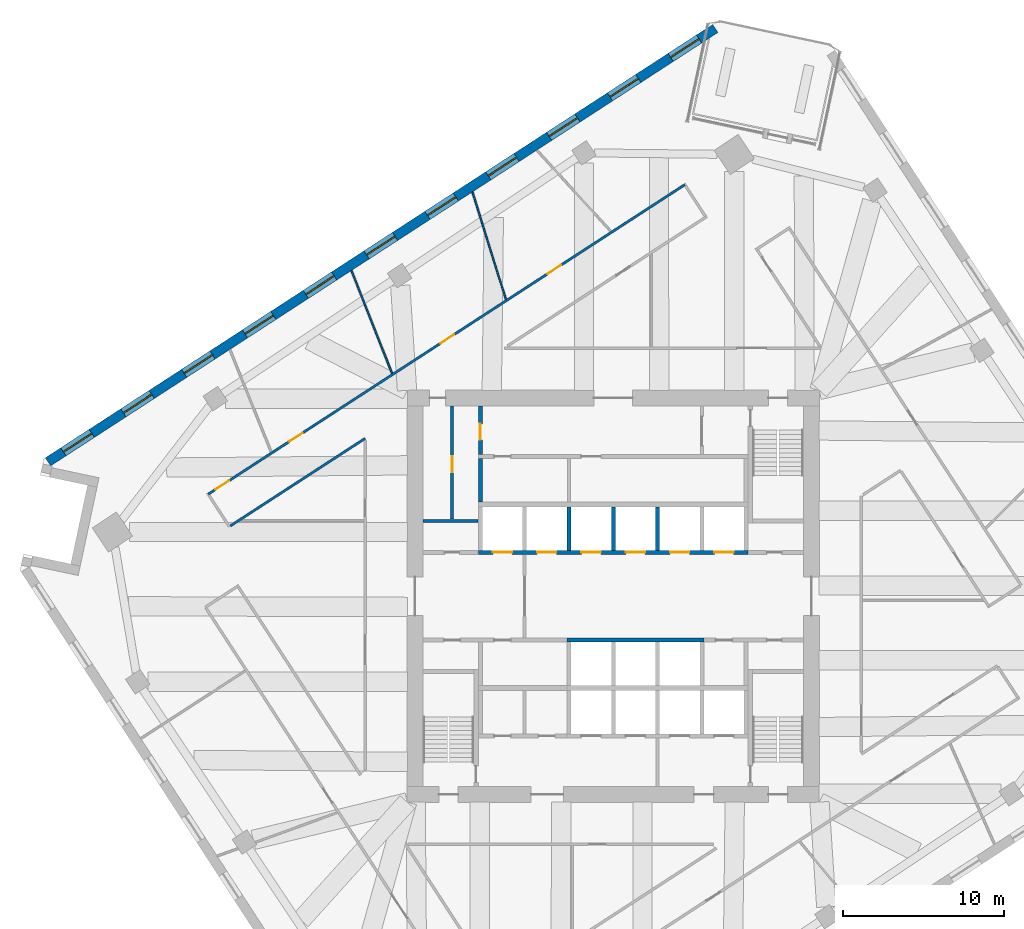
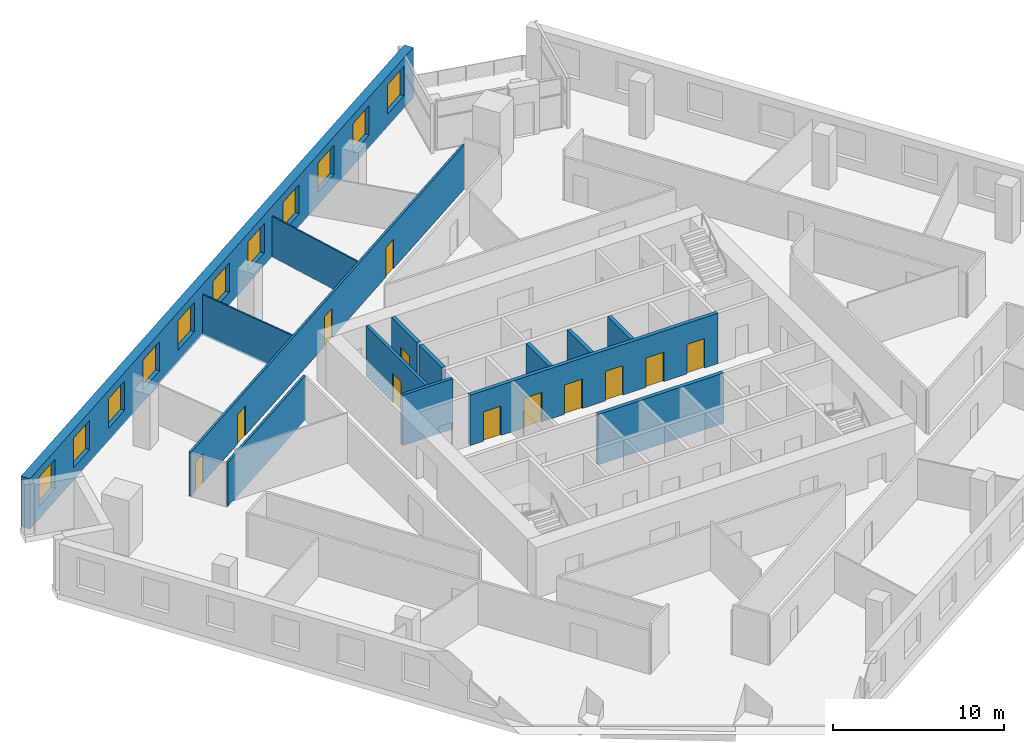
# One storey, part 8 of 12: 14 walls, 12 doors, 11 windows, 23 openings.
"""IFC4 building model written with IfcOpenShell, lengths in metres."""

import ifcopenshell
import ifcopenshell.guid

model = None  # the IFC model being written
_history = None  # IfcOwnerHistory: only IFC2X3 demands one
_inside = {}  # id of a spatial element -> (the spatial element, [elements in it])
_under = {}  # id of a project, library or spatial element -> (it, [spatial elements below it])
_declared = {}  # id of a project -> (the project, [libraries it declares])
_typed = {}  # id of a type object -> (the type object, [elements of that type])
_made_of = {}  # id of a material, layer set ... -> (it, [elements and type objects made of it])


def new_model(schema):
    """Start an empty IFC model of exactly this schema.

    Asked for "IFC4X3", IfcOpenShell would pick the latest addendum, in which some entities
    have other attributes; the version numbers below select the first issue.
    IFC2X3 requires an IfcOwnerHistory on every rooted entity: one is made here for all.
    """
    global model, _history
    if schema == "IFC4X3":
        model = ifcopenshell.file(schema_version=(4, 3, 0, 0))
    else:
        model = ifcopenshell.file(schema=schema)
    _inside.clear()
    _under.clear()
    _declared.clear()
    _typed.clear()
    _made_of.clear()
    _history = None
    if model.schema == "IFC2X3":
        org = make("IfcOrganization", Name="unknown")
        user = make(
            "IfcPersonAndOrganization",
            ThePerson=make("IfcPerson", FamilyName="unknown"),
            TheOrganization=org,
        )
        app = make(
            "IfcApplication",
            ApplicationDeveloper=org,
            Version="unknown",
            ApplicationFullName="unknown",
            ApplicationIdentifier="unknown",
        )
        _history = make(
            "IfcOwnerHistory",
            OwningUser=user,
            OwningApplication=app,
            ChangeAction="ADDED",
            CreationDate=0,
        )
    return model


def make(cls, **values):
    """One entity of the class cls with the attributes given. An attribute that is None is left unset."""
    return model.create_entity(
        cls, **{name: value for name, value in values.items() if value is not None}
    )


def rooted(cls, **values):
    """An entity with a GlobalId (a new one), such as an element, a storey or a relation."""
    return make(cls, GlobalId=ifcopenshell.guid.new(), OwnerHistory=_history, **values)


def si_unit(unit_type, name, prefix=None):
    """IfcSIUnit, for example si_unit("LENGTHUNIT", "METRE", prefix="MILLI")."""
    return make("IfcSIUnit", UnitType=unit_type, Prefix=prefix, Name=name)


def assignment(units):
    """IfcUnitAssignment: the units of a project."""
    return None if units is None else make("IfcUnitAssignment", Units=units)


def point(xyz):
    """IfcCartesianPoint."""
    return None if xyz is None else make("IfcCartesianPoint", Coordinates=xyz)


def direction(xyz):
    """IfcDirection."""
    return None if xyz is None else make("IfcDirection", DirectionRatios=xyz)


def frame(location, z_axis=None, x_axis=None):
    """IfcAxis2Placement3D, a coordinate frame: its origin and axes. An axis left out is left unset."""
    return make(
        "IfcAxis2Placement3D",
        Location=point(location),
        Axis=direction(z_axis),
        RefDirection=direction(x_axis),
    )


def frame_2d(location, x_axis=None):
    """IfcAxis2Placement2D, a coordinate frame in the plane: its origin and x axis."""
    return make(
        "IfcAxis2Placement2D", Location=point(location), RefDirection=direction(x_axis)
    )


def origin():
    """The frame at (0, 0, 0) with its axes left unset."""
    return frame((0.0, 0.0, 0.0))


def place(relative_to, where):
    """IfcLocalPlacement: puts the frame where relative to a parent placement (None: the world)."""
    return make(
        "IfcLocalPlacement", PlacementRelTo=relative_to, RelativePlacement=where
    )


def context(
    kind, dimensions, precision=None, world=None, true_north=None, identifier=None
):
    """IfcGeometricRepresentationContext, for example the 3D "Model" context."""
    return make(
        "IfcGeometricRepresentationContext",
        ContextIdentifier=identifier,
        ContextType=kind,
        CoordinateSpaceDimension=dimensions,
        Precision=precision,
        WorldCoordinateSystem=world,
        TrueNorth=true_north,
    )


def subcontext(parent, identifier, kind, view, scale=None):
    """IfcGeometricRepresentationSubContext, for example "Body" below "Model"."""
    return make(
        "IfcGeometricRepresentationSubContext",
        ContextIdentifier=identifier,
        ContextType=kind,
        ParentContext=parent,
        TargetScale=scale,
        TargetView=view,
    )


def project(units=None, contexts=None):
    """IfcProject with its units and contexts."""
    return rooted(
        "IfcProject",
        Name="project",
        RepresentationContexts=contexts,
        UnitsInContext=assignment(units),
    )


def spatial(cls, under=None, at=None, **own):
    """A site, building, storey or space (cls), placed at a placement, below another one or the project."""
    s = rooted(cls, ObjectPlacement=at, **own)
    if under is not None:
        _under.setdefault(under.id(), (under, []))[1].append(s)
    return s


def profile(cls, at=None, kind="AREA", **sizes):
    """A parametric profile (cls). Its sizes go by their IFC names, for example OverallWidth=200.0."""
    return make(cls, ProfileType=kind, Position=at, **sizes)


def rectangle(**sizes):
    """IfcRectangleProfileDef."""
    return profile("IfcRectangleProfileDef", **sizes)


def extrude(swept, where, along, depth):
    """IfcExtrudedAreaSolid: the profile swept, set in the frame where, extruded along a direction by depth."""
    return make(
        "IfcExtrudedAreaSolid",
        SweptArea=swept,
        Position=where,
        ExtrudedDirection=direction(along),
        Depth=depth,
    )


def shape(context_of_items, identifier, shape_type, items):
    """IfcShapeRepresentation: the items that make up one representation, for example the "Body"."""
    return make(
        "IfcShapeRepresentation",
        ContextOfItems=context_of_items,
        RepresentationIdentifier=identifier,
        RepresentationType=shape_type,
        Items=items,
    )


def material(Name=None, Category=None):
    """IfcMaterial."""
    return make("IfcMaterial", Name=Name, Category=Category)


def layer(
    of_material, thickness, ventilated=None, Name=None, Category=None, Priority=None
):
    """IfcMaterialLayer: one layer of a wall or slab, of a material (None: an air gap)."""
    return make(
        "IfcMaterialLayer",
        Material=of_material,
        LayerThickness=thickness,
        IsVentilated=ventilated,
        Name=Name,
        Category=Category,
        Priority=Priority,
    )


def layer_set(layers, Name=None):
    """IfcMaterialLayerSet."""
    return make("IfcMaterialLayerSet", MaterialLayers=layers, LayerSetName=Name)


def made_of(thing, what):
    """Note that an element or type object is made of a material, layer set ...; save() writes the relation."""
    if what is not None:
        _made_of.setdefault(what.id(), (what, []))[1].append(thing)
    return thing


def type_object(cls, material=None, **own):
    """A type object (cls), such as IfcWallType, which elements share."""
    return made_of(rooted(cls, **own), material)


def element(
    cls,
    number,
    at=None,
    inside=None,
    cuts=None,
    type_object=None,
    material=None,
    context=None,
    identifier="Body",
    shape_type=None,
    held_by="IfcProductDefinitionShape",
    body=None,
    shapes=None,
    **own,
):
    """One element of the class cls, such as IfcWall. Its Tag is "e" and its number.

    at: its placement. inside: the storey or other place that contains it. cuts: it is an
    opening in that element (IfcRelVoidsElement). A single representation is given by context,
    identifier, shape_type and body (its items); several are given by shapes. held_by: the class
    of the entity that holds the representations. save() writes the other relations.
    """
    e = rooted(cls, Tag="e%d" % number, ObjectPlacement=at, **own)
    if body is not None:
        shapes = [shape(context, identifier, shape_type, body)]
    if shapes is not None:
        e.Representation = make(held_by, Representations=shapes)
    if inside is not None:
        _inside.setdefault(inside.id(), (inside, []))[1].append(e)
    if cuts is not None:
        rooted(
            "IfcRelVoidsElement", RelatingBuildingElement=cuts, RelatedOpeningElement=e
        )
    if type_object is not None:
        _typed.setdefault(type_object.id(), (type_object, []))[1].append(e)
    return made_of(e, material)


def fill(opening, filler):
    """IfcRelFillsElement: the door or window that sits in an opening."""
    return rooted(
        "IfcRelFillsElement",
        RelatingOpeningElement=opening,
        RelatedBuildingElement=filler,
    )


def aggregate(whole, parts):
    """IfcRelAggregates: a whole, such as a stair, and the parts it consists of."""
    return rooted("IfcRelAggregates", RelatingObject=whole, RelatedObjects=parts)


def save(model, path):
    """Write the relations noted so far, then the file.

    IfcRelAggregates (storeys below a building ...), IfcRelContainedInSpatialStructure (elements
    in a storey), IfcRelDefinesByType, IfcRelAssociatesMaterial and IfcRelDeclares: one each for
    every whole, place, type object, material and project.
    """
    for whole, parts in _under.values():
        aggregate(whole, parts)
    for where, things in _inside.values():
        rooted(
            "IfcRelContainedInSpatialStructure",
            RelatedElements=things,
            RelatingStructure=where,
        )
    for kind, things in _typed.values():
        rooted("IfcRelDefinesByType", RelatedObjects=things, RelatingType=kind)
    for what, things in _made_of.values():
        rooted("IfcRelAssociatesMaterial", RelatedObjects=things, RelatingMaterial=what)
    for by, libraries in _declared.values():
        rooted("IfcRelDeclares", RelatingContext=by, RelatedDefinitions=libraries)
    model.write(path)


model = new_model("IFC4")

# Units and contexts
model_context = context("Model", 3, precision=1e-05, world=origin(), true_north=direction((0.0, 1.0)))
body_context = subcontext(model_context, "Body", "Model", "MODEL_VIEW")
ifc_project = project(units=[si_unit("LENGTHUNIT", "METRE"), si_unit("AREAUNIT", "SQUARE_METRE"), si_unit("VOLUMEUNIT", "CUBIC_METRE"), si_unit("PLANEANGLEUNIT", "RADIAN"), si_unit("MASSUNIT", "GRAM", prefix="KILO")], contexts=[model_context])

# Site, building, storey
site_placement = place(None, origin())
site = spatial("IfcSite", under=ifc_project, at=site_placement, CompositionType="ELEMENT")
building_placement = place(site_placement, origin())
building = spatial("IfcBuilding", under=site, at=building_placement, Name="Dilmun Exchange Tower", CompositionType="ELEMENT")
storey_placement = place(building_placement, frame((0.0, 0.0, 155.699951171875)))
storey = spatial("IfcBuildingStorey", under=building, at=storey_placement, Name="L36", CompositionType="ELEMENT", Elevation=155.699951171875)

# Wall
ifc_material_1 = material(Name="Concrete C40/50", Category="concrete")
ifc_layer_1 = layer(ifc_material_1, 0.199951171875)
ifc_layer_set_1 = layer_set([ifc_layer_1], Name="Concrete C40/50")
wall_type_1 = type_object("IfcWallType", Name="Core partition wall 200", PredefinedType="PARTITIONING", material=ifc_layer_set_1)
wall_1_placement = place(storey_placement, frame((-11.794921875, 4.675048828125, 0.0), z_axis=(0.0, 0.0, 1.0), x_axis=(1.0, 0.0, 0.0)))
element("IfcWall", 1, at=wall_1_placement, inside=storey, type_object=wall_type_1, Name="L36 core partition wall 13", PredefinedType="PARTITIONING", context=body_context, shape_type="SweptSolid", body=[
    extrude(rectangle(XDim=3.4150390625, YDim=0.199951171875, at=frame_2d((1.70751953125, 0.0))), origin(), (0.0, 0.0, 1.0), 3.60009765625),
])

# Wall, opening, door
wall_2_placement = place(storey_placement, frame((-10.0, 4.780029296875, 0.0), z_axis=(0.0, 0.0, 1.0), x_axis=(0.0, 1.0, 0.0)))
wall_2 = element("IfcWall", 2, at=wall_2_placement, inside=storey, type_object=wall_type_1, Name="L36 core partition wall 14", PredefinedType="PARTITIONING", context=body_context, shape_type="SweptSolid", body=[
    extrude(rectangle(XDim=7.014892578125, YDim=0.199951171875, at=frame_2d((3.50732421875, 0.0))), origin(), (0.0, 0.0, 1.0), 3.60009765625),
])
opening_1_placement = place(wall_2_placement, frame((2.919921875, 0.0, 0.0)))
opening_1 = element("IfcOpeningElement", 3, at=opening_1_placement, cuts=wall_2, Name="Opening CD4", PredefinedType="OPENING", context=body_context, shape_type="SweptSolid", body=[
    extrude(rectangle(XDim=1.0, YDim=2.10009765625, at=frame_2d((0.5, 1.050048828125))), frame((0.0, 0.10986328125, 0.0), z_axis=(0.0, -1.0, 0.0), x_axis=(1.0, 0.0, 0.0)), (0.0, 0.0, 1.0), 0.219970703125),
])
ifc_material_2 = material(Name="Fire-rated steel door set", Category="steel")
door_type_1 = type_object("IfcDoorType", Name="Core room door 1000x2100", OperationType="SINGLE_SWING_LEFT", PredefinedType="DOOR", material=ifc_material_2)
door_1_placement = place(opening_1_placement, origin())
door_1 = element("IfcDoor", 4, at=door_1_placement, inside=storey, type_object=door_type_1, Name="L36 door Comms room", OperationType="SINGLE_SWING_LEFT", OverallHeight=2.10009765625, OverallWidth=1.0, PredefinedType="DOOR", context=body_context, shape_type="SweptSolid", body=[
    extrude(rectangle(XDim=1.0, YDim=2.10009765625, at=frame_2d((0.5, 1.050048828125))), frame((0.0, 0.02490234375, 0.0), z_axis=(0.0, -1.0, 0.0), x_axis=(1.0, 0.0, 0.0)), (0.0, 0.0, 1.0), 0.050048828125),
])
fill(opening_1, door_1)

# Wall
ifc_layer_2 = layer(ifc_material_1, 0.25)
ifc_layer_set_2 = layer_set([ifc_layer_2], Name="Concrete C40/50")
wall_type_2 = type_object("IfcWallType", Name="Core partition wall 250", PredefinedType="PARTITIONING", material=ifc_layer_set_2)
wall_3_placement = place(storey_placement, frame((-8.25, 5.85498046875, 0.0), z_axis=(0.0, 0.0, 1.0), x_axis=(0.0, 1.0, 0.0)))
element("IfcWall", 5, at=wall_3_placement, inside=storey, type_object=wall_type_2, Name="L36 core partition wall 15", PredefinedType="PARTITIONING", context=body_context, shape_type="SweptSolid", body=[
    extrude(rectangle(XDim=2.68994140625, YDim=0.25, at=frame_2d((1.344970703125, 0.0))), origin(), (0.0, 0.0, 1.0), 3.60009765625),
])

# Wall, opening, door
wall_4_placement = place(storey_placement, frame((-8.25, 8.804931640625, 0.0), z_axis=(0.0, 0.0, 1.0), x_axis=(0.0, 1.0, 0.0)))
wall_4 = element("IfcWall", 6, at=wall_4_placement, inside=storey, type_object=wall_type_2, Name="L36 core partition wall 19", PredefinedType="PARTITIONING", context=body_context, shape_type="SweptSolid", body=[
    extrude(rectangle(XDim=2.989990234375, YDim=0.25, at=frame_2d((1.4951171875, 0.0))), origin(), (0.0, 0.0, 1.0), 3.60009765625),
])
opening_2_placement = place(wall_4_placement, frame((0.89501953125, 0.0, 0.0)))
opening_2 = element("IfcOpeningElement", 7, at=opening_2_placement, cuts=wall_4, Name="Opening CD4", PredefinedType="OPENING", context=body_context, shape_type="SweptSolid", body=[
    extrude(rectangle(XDim=1.0, YDim=2.10009765625, at=frame_2d((0.5, 1.050048828125))), frame((0.0, 0.135009765625, 0.0), z_axis=(0.0, -1.0, 0.0), x_axis=(1.0, 0.0, 0.0)), (0.0, 0.0, 1.0), 0.27001953125),
])
door_2_placement = place(opening_2_placement, origin())
door_2 = element("IfcDoor", 8, at=door_2_placement, inside=storey, type_object=door_type_1, Name="L36 door Security room", OperationType="SINGLE_SWING_LEFT", OverallHeight=2.10009765625, OverallWidth=1.0, PredefinedType="DOOR", context=body_context, shape_type="SweptSolid", body=[
    extrude(rectangle(XDim=1.0, YDim=2.10009765625, at=frame_2d((0.5, 1.050048828125))), frame((0.0, 0.02490234375, 0.0), z_axis=(0.0, -1.0, 0.0), x_axis=(1.0, 0.0, 0.0)), (0.0, 0.0, 1.0), 0.050048828125),
])
fill(opening_2, door_2)

# Wall, openings, doors
ifc_material_3 = material(Name="Corridor wall 150")
ifc_layer_3 = layer(ifc_material_3, 0.14990234375)
ifc_layer_set_3 = layer_set([ifc_layer_3], Name="Corridor wall 150")
wall_type_3 = type_object("IfcWallType", Name="Corridor wall 150", PredefinedType="PARTITIONING", material=ifc_layer_set_3)
wall_5_placement = place(storey_placement, frame((-25.134033203125, 6.3310546875, 0.0), z_axis=(0.0, 0.0, 1.0), x_axis=(0.838655992286, 0.544661478904, 0.0)))
wall_5 = element("IfcWall", 9, at=wall_5_placement, inside=storey, type_object=wall_type_3, Name="Corridor wall", PredefinedType="PARTITIONING", context=body_context, shape_type="SweptSolid", body=[
    extrude(rectangle(XDim=35.262451171875, YDim=0.14990234375, at=frame_2d((17.63134765625, 0.0))), origin(), (0.0, 0.0, 1.0), 3.150146484375),
])
opening_3_placement = place(wall_5_placement, frame((0.550048828125, 0.0, 0.0)))
opening_3 = element("IfcOpeningElement", 10, at=opening_3_placement, cuts=wall_5, Name="Opening TF36-D02", PredefinedType="OPENING", context=body_context, shape_type="SweptSolid", body=[
    extrude(rectangle(XDim=1.0, YDim=2.10009765625, at=frame_2d((0.5, 1.050048828125))), frame((0.0, 0.0849609375, 0.0), z_axis=(0.0, -1.0, 0.0), x_axis=(1.0, 0.0, 0.0)), (0.0, 0.0, 1.0), 0.169921875),
])
opening_4_placement = place(wall_5_placement, frame((5.9892578125, 0.0, 0.0)))
opening_4 = element("IfcOpeningElement", 11, at=opening_4_placement, cuts=wall_5, Name="Opening TF36-D04", PredefinedType="OPENING", context=body_context, shape_type="SweptSolid", body=[
    extrude(rectangle(XDim=1.0, YDim=2.10009765625, at=frame_2d((0.5, 1.050048828125))), frame((0.0, 0.0849609375, 0.0), z_axis=(0.0, -1.0, 0.0), x_axis=(1.0, 0.0, 0.0)), (0.0, 0.0, 1.0), 0.169921875),
])
opening_5_placement = place(wall_5_placement, frame((17.18310546875, 0.0, 0.0)))
opening_5 = element("IfcOpeningElement", 12, at=opening_5_placement, cuts=wall_5, Name="Opening TF36-D06", PredefinedType="OPENING", context=body_context, shape_type="SweptSolid", body=[
    extrude(rectangle(XDim=1.0, YDim=2.10009765625, at=frame_2d((0.5, 1.050048828125))), frame((0.0, 0.0849609375, 0.0), z_axis=(0.0, -1.0, 0.0), x_axis=(1.0, 0.0, 0.0)), (0.0, 0.0, 1.0), 0.169921875),
])
opening_6_placement = place(wall_5_placement, frame((25.102294921875, 0.0, 0.0)))
opening_6 = element("IfcOpeningElement", 13, at=opening_6_placement, cuts=wall_5, Name="Opening TF36-D09", PredefinedType="OPENING", context=body_context, shape_type="SweptSolid", body=[
    extrude(rectangle(XDim=1.0, YDim=2.10009765625, at=frame_2d((0.5, 1.050048828125))), frame((0.0, 0.0849609375, 0.0), z_axis=(0.0, -1.0, 0.0), x_axis=(1.0, 0.0, 0.0)), (0.0, 0.0, 1.0), 0.169921875),
])
ifc_material_4 = material(Name="Fire door 1000 x 2100")
door_type_2 = type_object("IfcDoorType", Name="Fire door 1000 x 2100", OperationType="NOTDEFINED", PredefinedType="DOOR", material=ifc_material_4)
door_3_placement = place(opening_3_placement, origin())
door_3 = element("IfcDoor", 14, at=door_3_placement, inside=storey, type_object=door_type_2, Name="Door TF36-D02", OperationType="SINGLE_SWING_RIGHT", OverallHeight=2.10009765625, OverallWidth=1.0, PredefinedType="DOOR", context=body_context, shape_type="SweptSolid", body=[
    extrude(rectangle(XDim=1.0, YDim=2.10009765625, at=frame_2d((0.5, 1.050048828125))), frame((0.0, 0.02490234375, 0.0), z_axis=(0.0, -1.0, 0.0), x_axis=(1.0, 0.0, 0.0)), (0.0, 0.0, 1.0), 0.050048828125),
])
fill(opening_3, door_3)
door_4_placement = place(opening_4_placement, origin())
door_4 = element("IfcDoor", 15, at=door_4_placement, inside=storey, type_object=door_type_2, Name="Door TF36-D04", OperationType="SINGLE_SWING_LEFT", OverallHeight=2.10009765625, OverallWidth=1.0, PredefinedType="DOOR", context=body_context, shape_type="SweptSolid", body=[
    extrude(rectangle(XDim=1.0, YDim=2.10009765625, at=frame_2d((0.5, 1.050048828125))), frame((0.0, 0.02490234375, 0.0), z_axis=(0.0, -1.0, 0.0), x_axis=(1.0, 0.0, 0.0)), (0.0, 0.0, 1.0), 0.050048828125),
])
fill(opening_4, door_4)
door_5_placement = place(opening_5_placement, origin())
door_5 = element("IfcDoor", 16, at=door_5_placement, inside=storey, type_object=door_type_2, Name="Door TF36-D06", OperationType="SINGLE_SWING_RIGHT", OverallHeight=2.10009765625, OverallWidth=1.0, PredefinedType="DOOR", context=body_context, shape_type="SweptSolid", body=[
    extrude(rectangle(XDim=1.0, YDim=2.10009765625, at=frame_2d((0.5, 1.050048828125))), frame((0.0, 0.02490234375, 0.0), z_axis=(0.0, -1.0, 0.0), x_axis=(1.0, 0.0, 0.0)), (0.0, 0.0, 1.0), 0.050048828125),
])
fill(opening_5, door_5)
door_6_placement = place(opening_6_placement, origin())
door_6 = element("IfcDoor", 17, at=door_6_placement, inside=storey, type_object=door_type_2, Name="Door TF36-D09", OperationType="SINGLE_SWING_LEFT", OverallHeight=2.10009765625, OverallWidth=1.0, PredefinedType="DOOR", context=body_context, shape_type="SweptSolid", body=[
    extrude(rectangle(XDim=1.0, YDim=2.10009765625, at=frame_2d((0.5, 1.050048828125))), frame((0.0, 0.02490234375, 0.0), z_axis=(0.0, -1.0, 0.0), x_axis=(1.0, 0.0, 0.0)), (0.0, 0.0, 1.0), 0.050048828125),
])
fill(opening_6, door_6)

# Wall
wall_6_placement = place(storey_placement, frame((-23.76416015625, 4.35986328125, 0.0), z_axis=(0.0, 0.0, 1.0), x_axis=(0.838700804406, 0.544592472119, 0.0)))
element("IfcWall", 18, at=wall_6_placement, inside=storey, type_object=wall_type_3, Name="Corridor wall", PredefinedType="PARTITIONING", context=body_context, shape_type="SweptSolid", body=[
    extrude(rectangle(XDim=9.972900390625, YDim=0.14990234375, at=frame_2d((4.986328125, 0.0))), origin(), (0.0, 0.0, 1.0), 3.150146484375),
])

# Wall, openings, doors
ifc_layer_4 = layer(ifc_material_1, 0.25)
ifc_layer_set_4 = layer_set([ifc_layer_4], Name="Concrete C40/50")
wall_type_4 = type_object("IfcWallType", Name="Lift shaft wall 250", PredefinedType="SOLIDWALL", material=ifc_layer_set_4)
wall_7_placement = place(storey_placement, frame((-8.375, 2.72509765625, 0.0), z_axis=(0.0, 0.0, 1.0), x_axis=(1.0, 0.0, 0.0)))
wall_7 = element("IfcWall", 19, at=wall_7_placement, inside=storey, type_object=wall_type_4, Name="L36 lift shaft front wall N1", PredefinedType="SOLIDWALL", context=body_context, shape_type="SweptSolid", body=[
    extrude(rectangle(XDim=16.75, YDim=0.25, at=frame_2d((8.375, 0.0))), origin(), (0.0, 0.0, 1.0), 3.60009765625),
])
opening_7_placement = place(wall_7_placement, frame((0.89990234375, 0.0, 0.0)))
opening_7 = element("IfcOpeningElement", 20, at=opening_7_placement, cuts=wall_7, Name="Opening LD", PredefinedType="OPENING", context=body_context, shape_type="SweptSolid", body=[
    extrude(rectangle(XDim=1.199951171875, YDim=2.10009765625, at=frame_2d((0.60009765625, 1.050048828125))), frame((0.0, 0.135009765625, 0.0), z_axis=(0.0, -1.0, 0.0), x_axis=(1.0, 0.0, 0.0)), (0.0, 0.0, 1.0), 0.27001953125),
])
opening_8_placement = place(wall_7_placement, frame((3.64990234375, 0.0, 0.0)))
opening_8 = element("IfcOpeningElement", 21, at=opening_8_placement, cuts=wall_7, Name="Opening LD", PredefinedType="OPENING", context=body_context, shape_type="SweptSolid", body=[
    extrude(rectangle(XDim=1.199951171875, YDim=2.10009765625, at=frame_2d((0.60009765625, 1.050048828125))), frame((0.0, 0.135009765625, 0.0), z_axis=(0.0, -1.0, 0.0), x_axis=(1.0, 0.0, 0.0)), (0.0, 0.0, 1.0), 0.27001953125),
])
opening_9_placement = place(wall_7_placement, frame((6.39990234375, 0.0, 0.0)))
opening_9 = element("IfcOpeningElement", 22, at=opening_9_placement, cuts=wall_7, Name="Opening LD", PredefinedType="OPENING", context=body_context, shape_type="SweptSolid", body=[
    extrude(rectangle(XDim=1.199951171875, YDim=2.10009765625, at=frame_2d((0.60009765625, 1.050048828125))), frame((0.0, 0.135009765625, 0.0), z_axis=(0.0, -1.0, 0.0), x_axis=(1.0, 0.0, 0.0)), (0.0, 0.0, 1.0), 0.27001953125),
])
opening_10_placement = place(wall_7_placement, frame((9.14990234375, 0.0, 0.0)))
opening_10 = element("IfcOpeningElement", 23, at=opening_10_placement, cuts=wall_7, Name="Opening LD", PredefinedType="OPENING", context=body_context, shape_type="SweptSolid", body=[
    extrude(rectangle(XDim=1.199951171875, YDim=2.10009765625, at=frame_2d((0.60009765625, 1.050048828125))), frame((0.0, 0.135009765625, 0.0), z_axis=(0.0, -1.0, 0.0), x_axis=(1.0, 0.0, 0.0)), (0.0, 0.0, 1.0), 0.27001953125),
])
opening_11_placement = place(wall_7_placement, frame((11.89990234375, 0.0, 0.0)))
opening_11 = element("IfcOpeningElement", 24, at=opening_11_placement, cuts=wall_7, Name="Opening LD", PredefinedType="OPENING", context=body_context, shape_type="SweptSolid", body=[
    extrude(rectangle(XDim=1.199951171875, YDim=2.10009765625, at=frame_2d((0.60009765625, 1.050048828125))), frame((0.0, 0.135009765625, 0.0), z_axis=(0.0, -1.0, 0.0), x_axis=(1.0, 0.0, 0.0)), (0.0, 0.0, 1.0), 0.27001953125),
])
opening_12_placement = place(wall_7_placement, frame((14.64990234375, 0.0, 0.0)))
opening_12 = element("IfcOpeningElement", 25, at=opening_12_placement, cuts=wall_7, Name="Opening LD", PredefinedType="OPENING", context=body_context, shape_type="SweptSolid", body=[
    extrude(rectangle(XDim=1.199951171875, YDim=2.10009765625, at=frame_2d((0.60009765625, 1.050048828125))), frame((0.0, 0.135009765625, 0.0), z_axis=(0.0, -1.0, 0.0), x_axis=(1.0, 0.0, 0.0)), (0.0, 0.0, 1.0), 0.27001953125),
])
door_type_3 = type_object("IfcDoorType", Name="Lift landing door 1200x2100", OperationType="DOUBLE_DOOR_SLIDING", PredefinedType="DOOR", material=ifc_material_2)
door_7_placement = place(opening_7_placement, origin())
door_7 = element("IfcDoor", 26, at=door_7_placement, inside=storey, type_object=door_type_3, Name="L36 landing door MR1", OperationType="DOUBLE_DOOR_SLIDING", OverallHeight=2.10009765625, OverallWidth=1.199951171875, PredefinedType="DOOR", context=body_context, shape_type="SweptSolid", body=[
    extrude(rectangle(XDim=1.199951171875, YDim=2.10009765625, at=frame_2d((0.60009765625, 1.050048828125))), frame((0.0, 0.02490234375, 0.0), z_axis=(0.0, -1.0, 0.0), x_axis=(1.0, 0.0, 0.0)), (0.0, 0.0, 1.0), 0.050048828125),
])
fill(opening_7, door_7)
door_8_placement = place(opening_8_placement, origin())
door_8 = element("IfcDoor", 27, at=door_8_placement, inside=storey, type_object=door_type_3, Name="L36 landing door MR2", OperationType="DOUBLE_DOOR_SLIDING", OverallHeight=2.10009765625, OverallWidth=1.199951171875, PredefinedType="DOOR", context=body_context, shape_type="SweptSolid", body=[
    extrude(rectangle(XDim=1.199951171875, YDim=2.10009765625, at=frame_2d((0.60009765625, 1.050048828125))), frame((0.0, 0.02490234375, 0.0), z_axis=(0.0, -1.0, 0.0), x_axis=(1.0, 0.0, 0.0)), (0.0, 0.0, 1.0), 0.050048828125),
])
fill(opening_8, door_8)
door_9_placement = place(opening_9_placement, origin())
door_9 = element("IfcDoor", 28, at=door_9_placement, inside=storey, type_object=door_type_3, Name="L36 landing door MR3", OperationType="DOUBLE_DOOR_SLIDING", OverallHeight=2.10009765625, OverallWidth=1.199951171875, PredefinedType="DOOR", context=body_context, shape_type="SweptSolid", body=[
    extrude(rectangle(XDim=1.199951171875, YDim=2.10009765625, at=frame_2d((0.60009765625, 1.050048828125))), frame((0.0, 0.02490234375, 0.0), z_axis=(0.0, -1.0, 0.0), x_axis=(1.0, 0.0, 0.0)), (0.0, 0.0, 1.0), 0.050048828125),
])
fill(opening_9, door_9)
door_10_placement = place(opening_10_placement, origin())
door_10 = element("IfcDoor", 29, at=door_10_placement, inside=storey, type_object=door_type_3, Name="L36 landing door MR4", OperationType="DOUBLE_DOOR_SLIDING", OverallHeight=2.10009765625, OverallWidth=1.199951171875, PredefinedType="DOOR", context=body_context, shape_type="SweptSolid", body=[
    extrude(rectangle(XDim=1.199951171875, YDim=2.10009765625, at=frame_2d((0.60009765625, 1.050048828125))), frame((0.0, 0.02490234375, 0.0), z_axis=(0.0, -1.0, 0.0), x_axis=(1.0, 0.0, 0.0)), (0.0, 0.0, 1.0), 0.050048828125),
])
fill(opening_10, door_10)
door_11_placement = place(opening_11_placement, origin())
door_11 = element("IfcDoor", 30, at=door_11_placement, inside=storey, type_object=door_type_3, Name="L36 landing door MR5", OperationType="DOUBLE_DOOR_SLIDING", OverallHeight=2.10009765625, OverallWidth=1.199951171875, PredefinedType="DOOR", context=body_context, shape_type="SweptSolid", body=[
    extrude(rectangle(XDim=1.199951171875, YDim=2.10009765625, at=frame_2d((0.60009765625, 1.050048828125))), frame((0.0, 0.02490234375, 0.0), z_axis=(0.0, -1.0, 0.0), x_axis=(1.0, 0.0, 0.0)), (0.0, 0.0, 1.0), 0.050048828125),
])
fill(opening_11, door_11)
door_12_placement = place(opening_12_placement, origin())
door_12 = element("IfcDoor", 31, at=door_12_placement, inside=storey, type_object=door_type_3, Name="L36 landing door MR6", OperationType="DOUBLE_DOOR_SLIDING", OverallHeight=2.10009765625, OverallWidth=1.199951171875, PredefinedType="DOOR", context=body_context, shape_type="SweptSolid", body=[
    extrude(rectangle(XDim=1.199951171875, YDim=2.10009765625, at=frame_2d((0.60009765625, 1.050048828125))), frame((0.0, 0.02490234375, 0.0), z_axis=(0.0, -1.0, 0.0), x_axis=(1.0, 0.0, 0.0)), (0.0, 0.0, 1.0), 0.050048828125),
])
fill(opening_12, door_12)

# Walls
for number, where, z_axis, x_axis, name in (
    (32, (-2.75, 2.85009765625, 0.0), (0.0, 0.0, 1.0), (0.0, 1.0, 0.0), "L36 lift shaft divider N12"),
    (33, (0.0, 2.85009765625, 0.0), (0.0, 0.0, 1.0), (0.0, 1.0, 0.0), "L36 lift shaft divider N13"),
    (34, (2.75, 2.85009765625, 0.0), (0.0, 0.0, 1.0), (0.0, 1.0, 0.0), "L36 lift shaft divider N14"),
):
    element("IfcWall", number, at=place(storey_placement, frame(where, z_axis=z_axis, x_axis=x_axis)), inside=storey, type_object=wall_type_4, Name=name, PredefinedType="SOLIDWALL", context=body_context, shape_type="SweptSolid", body=[
        extrude(rectangle(XDim=2.699951171875, YDim=0.25, at=frame_2d((1.35009765625, 0.0))), origin(), (0.0, 0.0, 1.0), 3.60009765625),
    ])
wall_8_placement = place(storey_placement, frame((-2.875, -2.72509765625, 0.0), z_axis=(0.0, 0.0, 1.0), x_axis=(1.0, 0.0, 0.0)))
element("IfcWall", 35, at=wall_8_placement, inside=storey, type_object=wall_type_4, Name="L36 lift shaft front wall S1", PredefinedType="SOLIDWALL", context=body_context, shape_type="SweptSolid", body=[
    extrude(rectangle(XDim=8.5, YDim=0.25, at=frame_2d((4.25, 0.0))), origin(), (0.0, 0.0, 1.0), 3.60009765625),
])
ifc_material_5 = material(Name="Partition 100")
ifc_layer_5 = layer(ifc_material_5, 0.10009765625)
ifc_layer_set_5 = layer_set([ifc_layer_5], Name="Partition 100")
wall_type_5 = type_object("IfcWallType", Name="Partition 100", PredefinedType="PARTITIONING", material=ifc_layer_set_5)
wall_9_placement = place(storey_placement, frame((-16.247314453125, 20.20947265625, 0.0), z_axis=(0.0, 0.0, 1.0), x_axis=(0.367220899636, -0.930133759666, 0.0)))
element("IfcWall", 36, at=wall_9_placement, inside=storey, type_object=wall_type_5, Name="Partition", PredefinedType="PARTITIONING", context=body_context, shape_type="SweptSolid", body=[
    extrude(rectangle(XDim=6.850341796875, YDim=0.10009765625, at=frame_2d((3.42529296875, 0.0))), origin(), (0.0, 0.0, 1.0), 2.900146484375),
])
wall_10_placement = place(storey_placement, frame((-8.73828125, 25.0859375, 0.0), z_axis=(0.0, 0.0, 1.0), x_axis=(0.297094226599, -0.954848166214, 0.0)))
element("IfcWall", 37, at=wall_10_placement, inside=storey, type_object=wall_type_5, Name="Partition", PredefinedType="PARTITIONING", context=body_context, shape_type="SweptSolid", body=[
    extrude(rectangle(XDim=6.970947265625, YDim=0.10009765625, at=frame_2d((3.4853515625, 0.0))), origin(), (0.0, 0.0, 1.0), 2.900146484375),
])

# Wall, openings, windows
ifc_material_6 = material(Name="Precast concrete C50/60", Category="concrete")
ifc_layer_6 = layer(ifc_material_6, 0.60009765625)
ifc_layer_set_6 = layer_set([ifc_layer_6], Name="Precast concrete C50/60")
wall_type_6 = type_object("IfcWallType", Name="Precast stone-clad wall 600", PredefinedType="STANDARD", material=ifc_layer_set_6)
wall_11_placement = place(storey_placement, frame((6.33251953125, 35.23291015625, 0.0), z_axis=(0.0, 0.0, 1.0), x_axis=(-0.83867264201, -0.544635841222, 0.0)))
wall_11 = element("IfcWall", 38, at=wall_11_placement, inside=storey, type_object=wall_type_6, Name="Facade wall L36-03", PredefinedType="STANDARD", context=body_context, shape_type="SweptSolid", body=[
    extrude(rectangle(XDim=49.375732421875, YDim=0.60009765625, at=frame_2d((24.68798828125, 0.0))), origin(), (0.0, 0.0, 1.0), 3.60009765625),
])
opening_13_placement = place(wall_11_placement, frame((1.199951171875, 0.0, 0.89990234375)))
opening_13 = element("IfcOpeningElement", 39, at=opening_13_placement, cuts=wall_11, Name="Opening W210-210", PredefinedType="OPENING", context=body_context, shape_type="SweptSolid", body=[
    extrude(rectangle(XDim=2.10009765625, YDim=2.10009765625, at=frame_2d((1.050048828125, 1.050048828125))), frame((0.0, 0.31005859375, 0.0), z_axis=(0.0, -1.0, 0.0), x_axis=(1.0, 0.0, 0.0)), (0.0, 0.0, 1.0), 0.6201171875),
])
opening_14_placement = place(wall_11_placement, frame((5.699951171875, 0.0, 0.89990234375)))
opening_14 = element("IfcOpeningElement", 40, at=opening_14_placement, cuts=wall_11, Name="Opening W210-210", PredefinedType="OPENING", context=body_context, shape_type="SweptSolid", body=[
    extrude(rectangle(XDim=2.10009765625, YDim=2.10009765625, at=frame_2d((1.050048828125, 1.050048828125))), frame((0.0, 0.31005859375, 0.0), z_axis=(0.0, -1.0, 0.0), x_axis=(1.0, 0.0, 0.0)), (0.0, 0.0, 1.0), 0.6201171875),
])
opening_15_placement = place(wall_11_placement, frame((10.199951171875, 0.0, 0.89990234375)))
opening_15 = element("IfcOpeningElement", 41, at=opening_15_placement, cuts=wall_11, Name="Opening W210-210", PredefinedType="OPENING", context=body_context, shape_type="SweptSolid", body=[
    extrude(rectangle(XDim=2.10009765625, YDim=2.10009765625, at=frame_2d((1.050048828125, 1.050048828125))), frame((0.0, 0.31005859375, 0.0), z_axis=(0.0, -1.0, 0.0), x_axis=(1.0, 0.0, 0.0)), (0.0, 0.0, 1.0), 0.6201171875),
])
opening_16_placement = place(wall_11_placement, frame((14.699951171875, 0.0, 0.89990234375)))
opening_16 = element("IfcOpeningElement", 42, at=opening_16_placement, cuts=wall_11, Name="Opening W210-210", PredefinedType="OPENING", context=body_context, shape_type="SweptSolid", body=[
    extrude(rectangle(XDim=2.10009765625, YDim=2.10009765625, at=frame_2d((1.050048828125, 1.050048828125))), frame((0.0, 0.31005859375, 0.0), z_axis=(0.0, -1.0, 0.0), x_axis=(1.0, 0.0, 0.0)), (0.0, 0.0, 1.0), 0.6201171875),
])
opening_17_placement = place(wall_11_placement, frame((19.199951171875, 0.0, 0.89990234375)))
opening_17 = element("IfcOpeningElement", 43, at=opening_17_placement, cuts=wall_11, Name="Opening W210-210", PredefinedType="OPENING", context=body_context, shape_type="SweptSolid", body=[
    extrude(rectangle(XDim=2.10009765625, YDim=2.10009765625, at=frame_2d((1.050048828125, 1.050048828125))), frame((0.0, 0.31005859375, 0.0), z_axis=(0.0, -1.0, 0.0), x_axis=(1.0, 0.0, 0.0)), (0.0, 0.0, 1.0), 0.6201171875),
])
opening_18_placement = place(wall_11_placement, frame((23.699951171875, 0.0, 0.89990234375)))
opening_18 = element("IfcOpeningElement", 44, at=opening_18_placement, cuts=wall_11, Name="Opening W210-210", PredefinedType="OPENING", context=body_context, shape_type="SweptSolid", body=[
    extrude(rectangle(XDim=2.10009765625, YDim=2.10009765625, at=frame_2d((1.050048828125, 1.050048828125))), frame((0.0, 0.31005859375, 0.0), z_axis=(0.0, -1.0, 0.0), x_axis=(1.0, 0.0, 0.0)), (0.0, 0.0, 1.0), 0.6201171875),
])
opening_19_placement = place(wall_11_placement, frame((28.199951171875, 0.0, 0.89990234375)))
opening_19 = element("IfcOpeningElement", 45, at=opening_19_placement, cuts=wall_11, Name="Opening W210-210", PredefinedType="OPENING", context=body_context, shape_type="SweptSolid", body=[
    extrude(rectangle(XDim=2.10009765625, YDim=2.10009765625, at=frame_2d((1.050048828125, 1.050048828125))), frame((0.0, 0.31005859375, 0.0), z_axis=(0.0, -1.0, 0.0), x_axis=(1.0, 0.0, 0.0)), (0.0, 0.0, 1.0), 0.6201171875),
])
opening_20_placement = place(wall_11_placement, frame((32.699951171875, 0.0, 0.89990234375)))
opening_20 = element("IfcOpeningElement", 46, at=opening_20_placement, cuts=wall_11, Name="Opening W210-210", PredefinedType="OPENING", context=body_context, shape_type="SweptSolid", body=[
    extrude(rectangle(XDim=2.10009765625, YDim=2.10009765625, at=frame_2d((1.050048828125, 1.050048828125))), frame((0.0, 0.31005859375, 0.0), z_axis=(0.0, -1.0, 0.0), x_axis=(1.0, 0.0, 0.0)), (0.0, 0.0, 1.0), 0.6201171875),
])
opening_21_placement = place(wall_11_placement, frame((37.199951171875, 0.0, 0.89990234375)))
opening_21 = element("IfcOpeningElement", 47, at=opening_21_placement, cuts=wall_11, Name="Opening W210-210", PredefinedType="OPENING", context=body_context, shape_type="SweptSolid", body=[
    extrude(rectangle(XDim=2.10009765625, YDim=2.10009765625, at=frame_2d((1.050048828125, 1.050048828125))), frame((0.0, 0.31005859375, 0.0), z_axis=(0.0, -1.0, 0.0), x_axis=(1.0, 0.0, 0.0)), (0.0, 0.0, 1.0), 0.6201171875),
])
opening_22_placement = place(wall_11_placement, frame((41.699951171875, 0.0, 0.89990234375)))
opening_22 = element("IfcOpeningElement", 48, at=opening_22_placement, cuts=wall_11, Name="Opening W210-210", PredefinedType="OPENING", context=body_context, shape_type="SweptSolid", body=[
    extrude(rectangle(XDim=2.10009765625, YDim=2.10009765625, at=frame_2d((1.050048828125, 1.050048828125))), frame((0.0, 0.31005859375, 0.0), z_axis=(0.0, -1.0, 0.0), x_axis=(1.0, 0.0, 0.0)), (0.0, 0.0, 1.0), 0.6201171875),
])
opening_23_placement = place(wall_11_placement, frame((46.137939453125, 0.0, 0.89990234375)))
opening_23 = element("IfcOpeningElement", 49, at=opening_23_placement, cuts=wall_11, Name="Opening W210-210", PredefinedType="OPENING", context=body_context, shape_type="SweptSolid", body=[
    extrude(rectangle(XDim=2.10009765625, YDim=2.10009765625, at=frame_2d((1.050048828125, 1.050048828125))), frame((0.0, 0.31005859375, 0.0), z_axis=(0.0, -1.0, 0.0), x_axis=(1.0, 0.0, 0.0)), (0.0, 0.0, 1.0), 0.6201171875),
])
ifc_material_7 = material(Name="Clear low-emissivity glass in aluminium frame", Category="aluminium")
window_type = type_object("IfcWindowType", Name="Punched window 2100 x 2100", PartitioningType="DOUBLE_PANEL_VERTICAL", PredefinedType="WINDOW", material=ifc_material_7)
window_1_placement = place(opening_13_placement, origin())
window_1 = element("IfcWindow", 50, at=window_1_placement, inside=storey, type_object=window_type, Name="Window 4.1", OverallHeight=2.10009765625, OverallWidth=2.10009765625, PartitioningType="SINGLE_PANEL", PredefinedType="WINDOW", context=body_context, shape_type="SweptSolid", body=[
    extrude(rectangle(XDim=2.10009765625, YDim=2.10009765625, at=frame_2d((1.050048828125, 1.050048828125))), frame((0.0, 0.030029296875, 0.0), z_axis=(0.0, -1.0, 0.0), x_axis=(1.0, 0.0, 0.0)), (0.0, 0.0, 1.0), 0.06005859375),
])
fill(opening_13, window_1)
window_2_placement = place(opening_14_placement, origin())
window_2 = element("IfcWindow", 51, at=window_2_placement, inside=storey, type_object=window_type, Name="Window 4.2", OverallHeight=2.10009765625, OverallWidth=2.10009765625, PartitioningType="SINGLE_PANEL", PredefinedType="WINDOW", context=body_context, shape_type="SweptSolid", body=[
    extrude(rectangle(XDim=2.10009765625, YDim=2.10009765625, at=frame_2d((1.050048828125, 1.050048828125))), frame((0.0, 0.030029296875, 0.0), z_axis=(0.0, -1.0, 0.0), x_axis=(1.0, 0.0, 0.0)), (0.0, 0.0, 1.0), 0.06005859375),
])
fill(opening_14, window_2)
window_3_placement = place(opening_15_placement, origin())
window_3 = element("IfcWindow", 52, at=window_3_placement, inside=storey, type_object=window_type, Name="Window 4.3", OverallHeight=2.10009765625, OverallWidth=2.10009765625, PartitioningType="SINGLE_PANEL", PredefinedType="WINDOW", context=body_context, shape_type="SweptSolid", body=[
    extrude(rectangle(XDim=2.10009765625, YDim=2.10009765625, at=frame_2d((1.050048828125, 1.050048828125))), frame((0.0, 0.030029296875, 0.0), z_axis=(0.0, -1.0, 0.0), x_axis=(1.0, 0.0, 0.0)), (0.0, 0.0, 1.0), 0.06005859375),
])
fill(opening_15, window_3)
window_4_placement = place(opening_16_placement, origin())
window_4 = element("IfcWindow", 53, at=window_4_placement, inside=storey, type_object=window_type, Name="Window 4.4", OverallHeight=2.10009765625, OverallWidth=2.10009765625, PartitioningType="SINGLE_PANEL", PredefinedType="WINDOW", context=body_context, shape_type="SweptSolid", body=[
    extrude(rectangle(XDim=2.10009765625, YDim=2.10009765625, at=frame_2d((1.050048828125, 1.050048828125))), frame((0.0, 0.030029296875, 0.0), z_axis=(0.0, -1.0, 0.0), x_axis=(1.0, 0.0, 0.0)), (0.0, 0.0, 1.0), 0.06005859375),
])
fill(opening_16, window_4)
window_5_placement = place(opening_17_placement, origin())
window_5 = element("IfcWindow", 54, at=window_5_placement, inside=storey, type_object=window_type, Name="Window 4.5", OverallHeight=2.10009765625, OverallWidth=2.10009765625, PartitioningType="SINGLE_PANEL", PredefinedType="WINDOW", context=body_context, shape_type="SweptSolid", body=[
    extrude(rectangle(XDim=2.10009765625, YDim=2.10009765625, at=frame_2d((1.050048828125, 1.050048828125))), frame((0.0, 0.030029296875, 0.0), z_axis=(0.0, -1.0, 0.0), x_axis=(1.0, 0.0, 0.0)), (0.0, 0.0, 1.0), 0.06005859375),
])
fill(opening_17, window_5)
window_6_placement = place(opening_18_placement, origin())
window_6 = element("IfcWindow", 55, at=window_6_placement, inside=storey, type_object=window_type, Name="Window 4.6", OverallHeight=2.10009765625, OverallWidth=2.10009765625, PartitioningType="SINGLE_PANEL", PredefinedType="WINDOW", context=body_context, shape_type="SweptSolid", body=[
    extrude(rectangle(XDim=2.10009765625, YDim=2.10009765625, at=frame_2d((1.050048828125, 1.050048828125))), frame((0.0, 0.030029296875, 0.0), z_axis=(0.0, -1.0, 0.0), x_axis=(1.0, 0.0, 0.0)), (0.0, 0.0, 1.0), 0.06005859375),
])
fill(opening_18, window_6)
window_7_placement = place(opening_19_placement, origin())
window_7 = element("IfcWindow", 56, at=window_7_placement, inside=storey, type_object=window_type, Name="Window 4.7", OverallHeight=2.10009765625, OverallWidth=2.10009765625, PartitioningType="SINGLE_PANEL", PredefinedType="WINDOW", context=body_context, shape_type="SweptSolid", body=[
    extrude(rectangle(XDim=2.10009765625, YDim=2.10009765625, at=frame_2d((1.050048828125, 1.050048828125))), frame((0.0, 0.030029296875, 0.0), z_axis=(0.0, -1.0, 0.0), x_axis=(1.0, 0.0, 0.0)), (0.0, 0.0, 1.0), 0.06005859375),
])
fill(opening_19, window_7)
window_8_placement = place(opening_20_placement, origin())
window_8 = element("IfcWindow", 57, at=window_8_placement, inside=storey, type_object=window_type, Name="Window 4.8", OverallHeight=2.10009765625, OverallWidth=2.10009765625, PartitioningType="SINGLE_PANEL", PredefinedType="WINDOW", context=body_context, shape_type="SweptSolid", body=[
    extrude(rectangle(XDim=2.10009765625, YDim=2.10009765625, at=frame_2d((1.050048828125, 1.050048828125))), frame((0.0, 0.030029296875, 0.0), z_axis=(0.0, -1.0, 0.0), x_axis=(1.0, 0.0, 0.0)), (0.0, 0.0, 1.0), 0.06005859375),
])
fill(opening_20, window_8)
window_9_placement = place(opening_21_placement, origin())
window_9 = element("IfcWindow", 58, at=window_9_placement, inside=storey, type_object=window_type, Name="Window 4.9", OverallHeight=2.10009765625, OverallWidth=2.10009765625, PartitioningType="SINGLE_PANEL", PredefinedType="WINDOW", context=body_context, shape_type="SweptSolid", body=[
    extrude(rectangle(XDim=2.10009765625, YDim=2.10009765625, at=frame_2d((1.050048828125, 1.050048828125))), frame((0.0, 0.030029296875, 0.0), z_axis=(0.0, -1.0, 0.0), x_axis=(1.0, 0.0, 0.0)), (0.0, 0.0, 1.0), 0.06005859375),
])
fill(opening_21, window_9)
window_10_placement = place(opening_22_placement, origin())
window_10 = element("IfcWindow", 59, at=window_10_placement, inside=storey, type_object=window_type, Name="Window 4.10", OverallHeight=2.10009765625, OverallWidth=2.10009765625, PartitioningType="SINGLE_PANEL", PredefinedType="WINDOW", context=body_context, shape_type="SweptSolid", body=[
    extrude(rectangle(XDim=2.10009765625, YDim=2.10009765625, at=frame_2d((1.050048828125, 1.050048828125))), frame((0.0, 0.030029296875, 0.0), z_axis=(0.0, -1.0, 0.0), x_axis=(1.0, 0.0, 0.0)), (0.0, 0.0, 1.0), 0.06005859375),
])
fill(opening_22, window_10)
window_11_placement = place(opening_23_placement, origin())
window_11 = element("IfcWindow", 60, at=window_11_placement, inside=storey, type_object=window_type, Name="Window 4.11", OverallHeight=2.10009765625, OverallWidth=2.10009765625, PartitioningType="SINGLE_PANEL", PredefinedType="WINDOW", context=body_context, shape_type="SweptSolid", body=[
    extrude(rectangle(XDim=2.10009765625, YDim=2.10009765625, at=frame_2d((1.050048828125, 1.050048828125))), frame((0.0, 0.030029296875, 0.0), z_axis=(0.0, -1.0, 0.0), x_axis=(1.0, 0.0, 0.0)), (0.0, 0.0, 1.0), 0.06005859375),
])
fill(opening_23, window_11)

save(model, "model.ifc")
